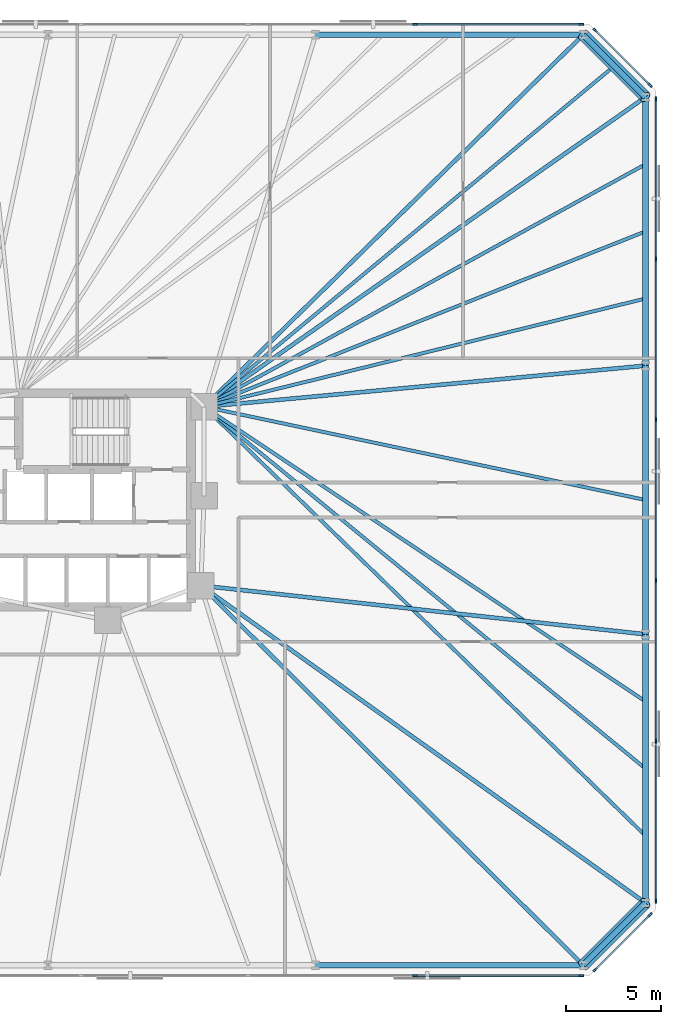
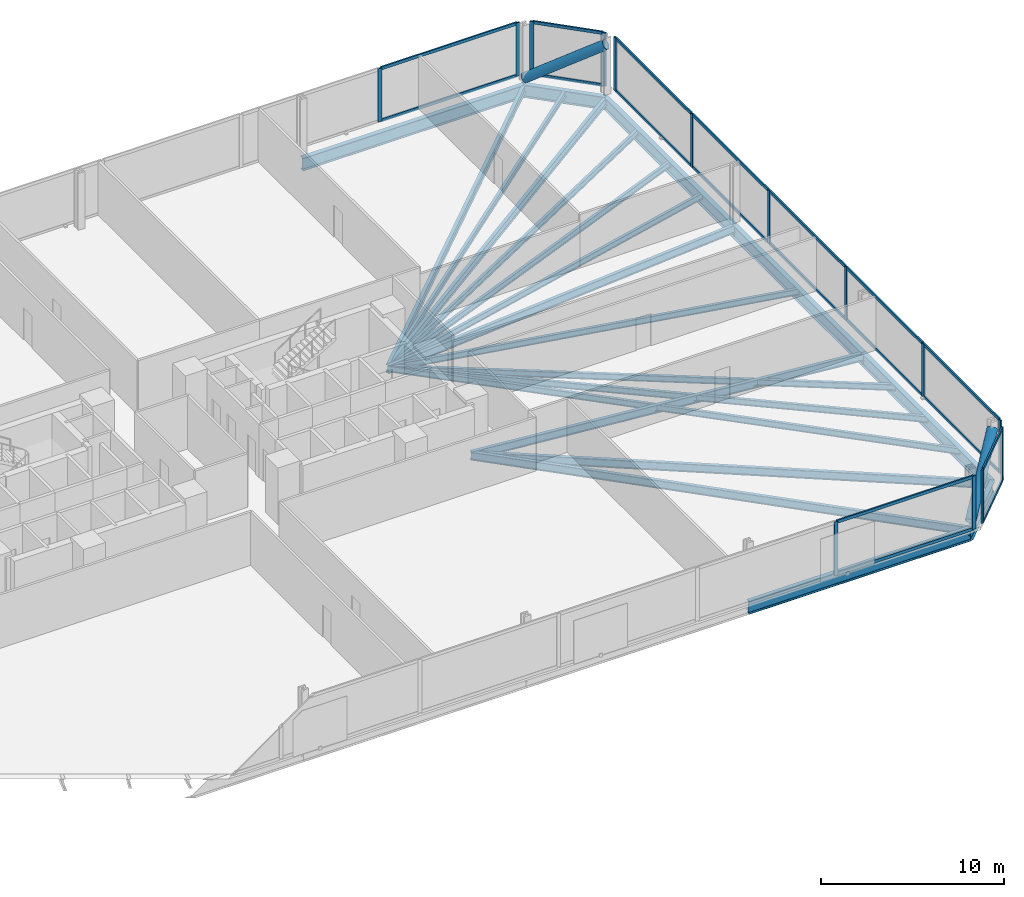
# One storey, part 10 of 16: 34 members, 21 beams, 5 elements without a shape of their own.
"""IFC4 building model written with IfcOpenShell, lengths in metres."""

from ifc_helpers import new_model, si_unit, direction, frame, origin, origin_2d, place, context, subcontext, project, spatial, rectangle, hollow_circle, i_section, extrude, material, material_profile, profile_set, type_object, element, aggregate, save


model = new_model("IFC4")

# Units and contexts
model_context = context("Model", 3, precision=1e-05, world=origin(), true_north=direction((0.0, 1.0)))
body_context = subcontext(model_context, "Body", "Model", "MODEL_VIEW")
ifc_project = project(units=[si_unit("LENGTHUNIT", "METRE"), si_unit("AREAUNIT", "SQUARE_METRE"), si_unit("VOLUMEUNIT", "CUBIC_METRE"), si_unit("PLANEANGLEUNIT", "RADIAN"), si_unit("MASSUNIT", "GRAM", prefix="KILO")], contexts=[model_context])

# Site, building, storey
site_placement = place(None, origin())
site = spatial("IfcSite", under=ifc_project, at=site_placement, CompositionType="ELEMENT")
building_placement = place(site_placement, origin())
building = spatial("IfcBuilding", under=site, at=building_placement, Name="Menara Jurai Vektor", CompositionType="ELEMENT")
storey_placement = place(building_placement, frame((0.0, 0.0, 33.199951171875)))
storey = spatial("IfcBuildingStorey", under=building, at=storey_placement, Name="L07", CompositionType="ELEMENT", Elevation=33.199951171875)

# Curtain wall, members
ifc_material_1 = material(Name="Anodised Pale Aluminium & Low-E Double Glazing", Category="aluminium")
curtain_wall_type = type_object("IfcCurtainWallType", Name="CW-BLK1", PredefinedType="NOTDEFINED", material=ifc_material_1)
curtain_wall_1_placement = place(storey_placement, origin())
curtain_wall_1 = element("IfcCurtainWall", 1, at=curtain_wall_1_placement, inside=storey, type_object=curtain_wall_type, Name="Unitised Curtain Wall L07 F01", PredefinedType="NOTDEFINED")
ifc_material_2 = material(Name="Anodised Pale Aluminium Mullion", Category="aluminium")
ifc_material_profile_1 = material_profile(ifc_material_2, rectangle(XDim=0.094970703125, YDim=0.239990234375, at=origin_2d()), Name="ALU MUL 95x240")
ifc_profile_set_1 = profile_set([ifc_material_profile_1], Name="Anodised Pale Aluminium Mullion")
member_type_1 = type_object("IfcMemberType", Name="CW-BLK1-MUL", PredefinedType="MULLION", material=ifc_profile_set_1)
member_1_placement = place(storey_placement, frame((26.340087890625, -25.0, 0.0), z_axis=(0.0, 0.0, 1.0), x_axis=(0.0, 1.0, 0.0)))
member_1 = element("IfcMember", 2, at=member_1_placement, type_object=member_type_1, Name="CW-01 mullion 8", PredefinedType="MULLION", context=body_context, shape_type="SweptSolid", body=[
    extrude(rectangle(XDim=0.094970703125, YDim=0.239990234375, at=origin_2d()), origin(), (0.0, 0.0, 1.0), 3.574951171875),
])
member_2_placement = place(storey_placement, frame((35.072509765625, -25.0, 0.0), z_axis=(0.0, 0.0, 1.0), x_axis=(0.0, 1.0, 0.0)))
member_2 = element("IfcMember", 3, at=member_2_placement, type_object=member_type_1, Name="CW-01 mullion 9", PredefinedType="MULLION", context=body_context, shape_type="SweptSolid", body=[
    extrude(rectangle(XDim=0.094970703125, YDim=0.239990234375, at=origin_2d()), origin(), (0.0, 0.0, 1.0), 3.574951171875),
])

curtain_wall_2_placement = place(storey_placement, origin())
curtain_wall_2 = element("IfcCurtainWall", 4, at=curtain_wall_2_placement, inside=storey, type_object=curtain_wall_type, Name="Unitised Curtain Wall L07 F02", PredefinedType="NOTDEFINED")
member_3_placement = place(storey_placement, frame((35.80224609375, -24.69775390625, 0.0), z_axis=(0.0, 0.0, 1.0), x_axis=(-0.707106781187, 0.707106781187, 0.0)))
member_3 = element("IfcMember", 5, at=member_3_placement, type_object=member_type_1, Name="CW-01 mullion 1", PredefinedType="MULLION", context=body_context, shape_type="SweptSolid", body=[
    extrude(rectangle(XDim=0.094970703125, YDim=0.239990234375, at=origin_2d()), origin(), (0.0, 0.0, 1.0), 3.574951171875),
])
member_4_placement = place(storey_placement, frame((38.69775390625, -21.80224609375, 0.0), z_axis=(0.0, 0.0, 1.0), x_axis=(-0.707106781187, 0.707106781187, 0.0)))
member_4 = element("IfcMember", 6, at=member_4_placement, type_object=member_type_1, Name="CW-01 mullion 2", PredefinedType="MULLION", context=body_context, shape_type="SweptSolid", body=[
    extrude(rectangle(XDim=0.094970703125, YDim=0.239990234375, at=origin_2d()), origin(), (0.0, 0.0, 1.0), 3.574951171875),
])

curtain_wall_3_placement = place(storey_placement, origin())
curtain_wall_3 = element("IfcCurtainWall", 7, at=curtain_wall_3_placement, inside=storey, type_object=curtain_wall_type, Name="Unitised Curtain Wall L07 F03", PredefinedType="NOTDEFINED")
member_5_placement = place(storey_placement, frame((39.0, -21.072509765625, 0.0), z_axis=(0.0, 0.0, 1.0), x_axis=(-1.0, 0.0, 0.0)))
member_5 = element("IfcMember", 8, at=member_5_placement, type_object=member_type_1, Name="CW-01 mullion 1", PredefinedType="MULLION", context=body_context, shape_type="SweptSolid", body=[
    extrude(rectangle(XDim=0.094970703125, YDim=0.239990234375, at=origin_2d()), origin(), (0.0, 0.0, 1.0), 3.574951171875),
])
member_6_placement = place(storey_placement, frame((39.0, -12.672119140625, 0.0), z_axis=(0.0, 0.0, 1.0), x_axis=(-1.0, 0.0, 0.0)))
member_6 = element("IfcMember", 9, at=member_6_placement, type_object=member_type_1, Name="CW-01 mullion 2", PredefinedType="MULLION", context=body_context, shape_type="SweptSolid", body=[
    extrude(rectangle(XDim=0.094970703125, YDim=0.239990234375, at=origin_2d()), origin(), (0.0, 0.0, 1.0), 3.574951171875),
])
member_7_placement = place(storey_placement, frame((39.0, -4.22412109375, 0.0), z_axis=(0.0, 0.0, 1.0), x_axis=(-1.0, 0.0, 0.0)))
member_7 = element("IfcMember", 10, at=member_7_placement, type_object=member_type_1, Name="CW-01 mullion 3", PredefinedType="MULLION", context=body_context, shape_type="SweptSolid", body=[
    extrude(rectangle(XDim=0.094970703125, YDim=0.239990234375, at=origin_2d()), origin(), (0.0, 0.0, 1.0), 3.574951171875),
])
member_8_placement = place(storey_placement, frame((39.0, 4.22412109375, 0.0), z_axis=(0.0, 0.0, 1.0), x_axis=(-1.0, 0.0, 0.0)))
member_8 = element("IfcMember", 11, at=member_8_placement, type_object=member_type_1, Name="CW-01 mullion 4", PredefinedType="MULLION", context=body_context, shape_type="SweptSolid", body=[
    extrude(rectangle(XDim=0.094970703125, YDim=0.239990234375, at=origin_2d()), origin(), (0.0, 0.0, 1.0), 3.574951171875),
])
member_9_placement = place(storey_placement, frame((39.0, 12.672119140625, 0.0), z_axis=(0.0, 0.0, 1.0), x_axis=(-1.0, 0.0, 0.0)))
member_9 = element("IfcMember", 12, at=member_9_placement, type_object=member_type_1, Name="CW-01 mullion 5", PredefinedType="MULLION", context=body_context, shape_type="SweptSolid", body=[
    extrude(rectangle(XDim=0.094970703125, YDim=0.239990234375, at=origin_2d()), origin(), (0.0, 0.0, 1.0), 3.574951171875),
])
member_10_placement = place(storey_placement, frame((39.0, 21.072509765625, 0.0), z_axis=(0.0, 0.0, 1.0), x_axis=(-1.0, 0.0, 0.0)))
member_10 = element("IfcMember", 13, at=member_10_placement, type_object=member_type_1, Name="CW-01 mullion 6", PredefinedType="MULLION", context=body_context, shape_type="SweptSolid", body=[
    extrude(rectangle(XDim=0.094970703125, YDim=0.239990234375, at=origin_2d()), origin(), (0.0, 0.0, 1.0), 3.574951171875),
])

curtain_wall_4_placement = place(storey_placement, origin())
curtain_wall_4 = element("IfcCurtainWall", 14, at=curtain_wall_4_placement, inside=storey, type_object=curtain_wall_type, Name="Unitised Curtain Wall L07 F04", PredefinedType="NOTDEFINED")
member_11_placement = place(storey_placement, frame((38.69775390625, 21.80224609375, 0.0), z_axis=(0.0, 0.0, 1.0), x_axis=(-0.707106781187, -0.707106781187, 0.0)))
member_11 = element("IfcMember", 15, at=member_11_placement, type_object=member_type_1, Name="CW-01 mullion 1", PredefinedType="MULLION", context=body_context, shape_type="SweptSolid", body=[
    extrude(rectangle(XDim=0.094970703125, YDim=0.239990234375, at=origin_2d()), origin(), (0.0, 0.0, 1.0), 3.574951171875),
])
member_12_placement = place(storey_placement, frame((35.80224609375, 24.69775390625, 0.0), z_axis=(0.0, 0.0, 1.0), x_axis=(-0.707106781187, -0.707106781187, 0.0)))
member_12 = element("IfcMember", 16, at=member_12_placement, type_object=member_type_1, Name="CW-01 mullion 2", PredefinedType="MULLION", context=body_context, shape_type="SweptSolid", body=[
    extrude(rectangle(XDim=0.094970703125, YDim=0.239990234375, at=origin_2d()), origin(), (0.0, 0.0, 1.0), 3.574951171875),
])

curtain_wall_5_placement = place(storey_placement, origin())
curtain_wall_5 = element("IfcCurtainWall", 17, at=curtain_wall_5_placement, inside=storey, type_object=curtain_wall_type, Name="Unitised Curtain Wall L07 F05", PredefinedType="NOTDEFINED")
member_13_placement = place(storey_placement, frame((35.072509765625, 25.0, 0.0), z_axis=(0.0, 0.0, 1.0), x_axis=(0.0, -1.0, 0.0)))
member_13 = element("IfcMember", 18, at=member_13_placement, type_object=member_type_1, Name="CW-01 mullion 1", PredefinedType="MULLION", context=body_context, shape_type="SweptSolid", body=[
    extrude(rectangle(XDim=0.094970703125, YDim=0.239990234375, at=origin_2d()), origin(), (0.0, 0.0, 1.0), 3.574951171875),
])
member_14_placement = place(storey_placement, frame((26.340087890625, 25.0, 0.0), z_axis=(0.0, 0.0, 1.0), x_axis=(0.0, -1.0, 0.0)))
member_14 = element("IfcMember", 19, at=member_14_placement, type_object=member_type_1, Name="CW-01 mullion 2", PredefinedType="MULLION", context=body_context, shape_type="SweptSolid", body=[
    extrude(rectangle(XDim=0.094970703125, YDim=0.239990234375, at=origin_2d()), origin(), (0.0, 0.0, 1.0), 3.574951171875),
])

# Member
ifc_material_3 = material(Name="Anodised Pale Aluminium Transom", Category="aluminium")
ifc_material_profile_2 = material_profile(ifc_material_3, rectangle(XDim=0.094970703125, YDim=0.199951171875, at=origin_2d()), Name="ALU TRN 95x200")
ifc_profile_set_2 = profile_set([ifc_material_profile_2], Name="Anodised Pale Aluminium Transom")
member_type_2 = type_object("IfcMemberType", Name="CW-BLK1-TRN", PredefinedType="USERDEFINED", material=ifc_profile_set_2)
member_15_placement = place(storey_placement, frame((26.387451171875, -25.0, 0.047607421875), z_axis=(1.0, 0.0, 0.0), x_axis=(0.0, 1.0, 0.0)))
member_15 = element("IfcMember", 20, at=member_15_placement, type_object=member_type_2, Name="CW-01 transom 8.1", ObjectType="TRANSOM", PredefinedType="USERDEFINED", context=body_context, shape_type="SweptSolid", body=[
    extrude(rectangle(XDim=0.094970703125, YDim=0.199951171875, at=origin_2d()), origin(), (0.0, 0.0, 1.0), 8.637451171875),
])

member_16_placement = place(storey_placement, frame((26.387451171875, -25.0, 3.527587890625), z_axis=(1.0, 0.0, 0.0), x_axis=(0.0, 1.0, 0.0)))
member_16 = element("IfcMember", 21, at=member_16_placement, type_object=member_type_2, Name="CW-01 transom 8.2", ObjectType="TRANSOM", PredefinedType="USERDEFINED", context=body_context, shape_type="SweptSolid", body=[
    extrude(rectangle(XDim=0.094970703125, YDim=0.199951171875, at=origin_2d()), origin(), (0.0, 0.0, 1.0), 8.637451171875),
])

aggregate(curtain_wall_1, [member_1, member_2, member_15, member_16])

member_17_placement = place(storey_placement, frame((35.8359375, -24.6640625, 0.047607421875), z_axis=(0.707106781187, 0.707106781187, 0.0), x_axis=(-0.707106781187, 0.707106781187, 0.0)))
member_17 = element("IfcMember", 22, at=member_17_placement, type_object=member_type_2, Name="CW-01 transom 1.1", ObjectType="TRANSOM", PredefinedType="USERDEFINED", context=body_context, shape_type="SweptSolid", body=[
    extrude(rectangle(XDim=0.094970703125, YDim=0.199951171875, at=origin_2d()), origin(), (0.0, 0.0, 1.0), 3.99951171875),
])

member_18_placement = place(storey_placement, frame((35.8359375, -24.6640625, 3.527587890625), z_axis=(0.707106781187, 0.707106781187, 0.0), x_axis=(-0.707106781187, 0.707106781187, 0.0)))
member_18 = element("IfcMember", 23, at=member_18_placement, type_object=member_type_2, Name="CW-01 transom 1.2", ObjectType="TRANSOM", PredefinedType="USERDEFINED", context=body_context, shape_type="SweptSolid", body=[
    extrude(rectangle(XDim=0.094970703125, YDim=0.199951171875, at=origin_2d()), origin(), (0.0, 0.0, 1.0), 3.99951171875),
])

aggregate(curtain_wall_2, [member_3, member_4, member_17, member_18])

member_19_placement = place(storey_placement, frame((39.0, -21.02490234375, 0.047607421875), z_axis=(0.0, 1.0, 0.0), x_axis=(-1.0, 0.0, 0.0)))
member_19 = element("IfcMember", 24, at=member_19_placement, type_object=member_type_2, Name="CW-01 transom 1.1", ObjectType="TRANSOM", PredefinedType="USERDEFINED", context=body_context, shape_type="SweptSolid", body=[
    extrude(rectangle(XDim=0.094970703125, YDim=0.199951171875, at=origin_2d()), origin(), (0.0, 0.0, 1.0), 8.305419921875),
])

member_20_placement = place(storey_placement, frame((39.0, -21.02490234375, 3.527587890625), z_axis=(0.0, 1.0, 0.0), x_axis=(-1.0, 0.0, 0.0)))
member_20 = element("IfcMember", 25, at=member_20_placement, type_object=member_type_2, Name="CW-01 transom 1.2", ObjectType="TRANSOM", PredefinedType="USERDEFINED", context=body_context, shape_type="SweptSolid", body=[
    extrude(rectangle(XDim=0.094970703125, YDim=0.199951171875, at=origin_2d()), origin(), (0.0, 0.0, 1.0), 8.305419921875),
])

member_21_placement = place(storey_placement, frame((39.0, -12.62451171875, 0.047607421875), z_axis=(0.0, 1.0, 0.0), x_axis=(-1.0, 0.0, 0.0)))
member_21 = element("IfcMember", 26, at=member_21_placement, type_object=member_type_2, Name="CW-01 transom 2.1", ObjectType="TRANSOM", PredefinedType="USERDEFINED", context=body_context, shape_type="SweptSolid", body=[
    extrude(rectangle(XDim=0.094970703125, YDim=0.199951171875, at=origin_2d()), origin(), (0.0, 0.0, 1.0), 8.35302734375),
])

member_22_placement = place(storey_placement, frame((39.0, -12.62451171875, 3.527587890625), z_axis=(0.0, 1.0, 0.0), x_axis=(-1.0, 0.0, 0.0)))
member_22 = element("IfcMember", 27, at=member_22_placement, type_object=member_type_2, Name="CW-01 transom 2.2", ObjectType="TRANSOM", PredefinedType="USERDEFINED", context=body_context, shape_type="SweptSolid", body=[
    extrude(rectangle(XDim=0.094970703125, YDim=0.199951171875, at=origin_2d()), origin(), (0.0, 0.0, 1.0), 8.35302734375),
])

member_23_placement = place(storey_placement, frame((39.0, -4.176513671875, 0.047607421875), z_axis=(0.0, 1.0, 0.0), x_axis=(-1.0, 0.0, 0.0)))
member_23 = element("IfcMember", 28, at=member_23_placement, type_object=member_type_2, Name="CW-01 transom 3.1", ObjectType="TRANSOM", PredefinedType="USERDEFINED", context=body_context, shape_type="SweptSolid", body=[
    extrude(rectangle(XDim=0.094970703125, YDim=0.199951171875, at=origin_2d()), origin(), (0.0, 0.0, 1.0), 8.35302734375),
])

member_24_placement = place(storey_placement, frame((39.0, -4.176513671875, 3.527587890625), z_axis=(0.0, 1.0, 0.0), x_axis=(-1.0, 0.0, 0.0)))
member_24 = element("IfcMember", 29, at=member_24_placement, type_object=member_type_2, Name="CW-01 transom 3.2", ObjectType="TRANSOM", PredefinedType="USERDEFINED", context=body_context, shape_type="SweptSolid", body=[
    extrude(rectangle(XDim=0.094970703125, YDim=0.199951171875, at=origin_2d()), origin(), (0.0, 0.0, 1.0), 8.35302734375),
])

member_25_placement = place(storey_placement, frame((39.0, 4.271484375, 0.047607421875), z_axis=(0.0, 1.0, 0.0), x_axis=(-1.0, 0.0, 0.0)))
member_25 = element("IfcMember", 30, at=member_25_placement, type_object=member_type_2, Name="CW-01 transom 4.1", ObjectType="TRANSOM", PredefinedType="USERDEFINED", context=body_context, shape_type="SweptSolid", body=[
    extrude(rectangle(XDim=0.094970703125, YDim=0.199951171875, at=origin_2d()), origin(), (0.0, 0.0, 1.0), 8.35302734375),
])

member_26_placement = place(storey_placement, frame((39.0, 4.271484375, 3.527587890625), z_axis=(0.0, 1.0, 0.0), x_axis=(-1.0, 0.0, 0.0)))
member_26 = element("IfcMember", 31, at=member_26_placement, type_object=member_type_2, Name="CW-01 transom 4.2", ObjectType="TRANSOM", PredefinedType="USERDEFINED", context=body_context, shape_type="SweptSolid", body=[
    extrude(rectangle(XDim=0.094970703125, YDim=0.199951171875, at=origin_2d()), origin(), (0.0, 0.0, 1.0), 8.35302734375),
])

member_27_placement = place(storey_placement, frame((39.0, 12.719482421875, 0.047607421875), z_axis=(0.0, 1.0, 0.0), x_axis=(-1.0, 0.0, 0.0)))
member_27 = element("IfcMember", 32, at=member_27_placement, type_object=member_type_2, Name="CW-01 transom 5.1", ObjectType="TRANSOM", PredefinedType="USERDEFINED", context=body_context, shape_type="SweptSolid", body=[
    extrude(rectangle(XDim=0.094970703125, YDim=0.199951171875, at=origin_2d()), origin(), (0.0, 0.0, 1.0), 8.305419921875),
])

member_28_placement = place(storey_placement, frame((39.0, 12.719482421875, 3.527587890625), z_axis=(0.0, 1.0, 0.0), x_axis=(-1.0, 0.0, 0.0)))
member_28 = element("IfcMember", 33, at=member_28_placement, type_object=member_type_2, Name="CW-01 transom 5.2", ObjectType="TRANSOM", PredefinedType="USERDEFINED", context=body_context, shape_type="SweptSolid", body=[
    extrude(rectangle(XDim=0.094970703125, YDim=0.199951171875, at=origin_2d()), origin(), (0.0, 0.0, 1.0), 8.305419921875),
])

aggregate(curtain_wall_3, [member_5, member_6, member_7, member_8, member_9, member_10, member_19, member_20, member_21, member_22, member_23, member_24, member_25, member_26, member_27, member_28])

member_29_placement = place(storey_placement, frame((38.6640625, 21.8359375, 0.047607421875), z_axis=(-0.707106781187, 0.707106781187, 0.0), x_axis=(-0.707106781187, -0.707106781187, 0.0)))
member_29 = element("IfcMember", 34, at=member_29_placement, type_object=member_type_2, Name="CW-01 transom 1.1", ObjectType="TRANSOM", PredefinedType="USERDEFINED", context=body_context, shape_type="SweptSolid", body=[
    extrude(rectangle(XDim=0.094970703125, YDim=0.199951171875, at=origin_2d()), origin(), (0.0, 0.0, 1.0), 3.99951171875),
])

member_30_placement = place(storey_placement, frame((38.6640625, 21.8359375, 3.527587890625), z_axis=(-0.707106781187, 0.707106781187, 0.0), x_axis=(-0.707106781187, -0.707106781187, 0.0)))
member_30 = element("IfcMember", 35, at=member_30_placement, type_object=member_type_2, Name="CW-01 transom 1.2", ObjectType="TRANSOM", PredefinedType="USERDEFINED", context=body_context, shape_type="SweptSolid", body=[
    extrude(rectangle(XDim=0.094970703125, YDim=0.199951171875, at=origin_2d()), origin(), (0.0, 0.0, 1.0), 3.99951171875),
])

aggregate(curtain_wall_4, [member_11, member_12, member_29, member_30])

member_31_placement = place(storey_placement, frame((35.02490234375, 25.0, 0.047607421875), z_axis=(-1.0, 0.0, 0.0), x_axis=(0.0, -1.0, 0.0)))
member_31 = element("IfcMember", 36, at=member_31_placement, type_object=member_type_2, Name="CW-01 transom 1.1", ObjectType="TRANSOM", PredefinedType="USERDEFINED", context=body_context, shape_type="SweptSolid", body=[
    extrude(rectangle(XDim=0.094970703125, YDim=0.199951171875, at=origin_2d()), origin(), (0.0, 0.0, 1.0), 8.637451171875),
])

member_32_placement = place(storey_placement, frame((35.02490234375, 25.0, 3.527587890625), z_axis=(-1.0, 0.0, 0.0), x_axis=(0.0, -1.0, 0.0)))
member_32 = element("IfcMember", 37, at=member_32_placement, type_object=member_type_2, Name="CW-01 transom 1.2", ObjectType="TRANSOM", PredefinedType="USERDEFINED", context=body_context, shape_type="SweptSolid", body=[
    extrude(rectangle(XDim=0.094970703125, YDim=0.199951171875, at=origin_2d()), origin(), (0.0, 0.0, 1.0), 8.637451171875),
])

aggregate(curtain_wall_5, [member_13, member_14, member_31, member_32])

# Beams
ifc_material_4 = material(Name="Steel S355", Category="steel")
ifc_material_profile_3 = material_profile(ifc_material_4, i_section(OverallWidth=0.2109375, OverallDepth=0.5390625, WebThickness=0.011962890625, FlangeThickness=0.01904296875, FilletRadius=0.012939453125, at=origin_2d()), Name="UKB 533x210x109")
ifc_profile_set_3 = profile_set([ifc_material_profile_3], Name="Steel S355")
beam_type_1 = type_object("IfcBeamType", Name="STR-BM-533", PredefinedType="BEAM", material=ifc_profile_set_3)
beam_1_placement = place(storey_placement, frame((35.177734375, -24.449951171875, -0.494384765625), z_axis=(-0.709709931659, 0.704494011972, 0.0), x_axis=(-0.704494011972, -0.709709931659, 0.0)))
element("IfcBeam", 38, at=beam_1_placement, inside=storey, type_object=beam_type_1, Name="Radial Floor Girder L07-S6", PredefinedType="BEAM", context=body_context, shape_type="SweptSolid", body=[
    extrude(i_section(OverallWidth=0.2109375, OverallDepth=0.5390625, WebThickness=0.011962890625, FlangeThickness=0.01904296875, FilletRadius=0.012939453125, at=origin_2d()), origin(), (0.0, 0.0, 1.0), 28.318115234375),
])
beam_2_placement = place(storey_placement, frame((38.449951171875, -21.177734375, -0.494384765625), z_axis=(-0.813981033216, 0.580891450759, 0.0), x_axis=(-0.580891450759, -0.813981033216, 0.0)))
element("IfcBeam", 39, at=beam_2_placement, inside=storey, type_object=beam_type_1, Name="Radial Floor Girder L07-E1", PredefinedType="BEAM", context=body_context, shape_type="SweptSolid", body=[
    extrude(i_section(OverallWidth=0.2109375, OverallDepth=0.5390625, WebThickness=0.011962890625, FlangeThickness=0.01904296875, FilletRadius=0.012939453125, at=origin_2d()), origin(), (0.0, 0.0, 1.0), 28.710693359375),
])
beam_3_placement = place(storey_placement, frame((38.449951171875, -7.059326171875, -0.494384765625), z_axis=(-0.994056757953, 0.108863042253, 0.0), x_axis=(-0.108863042253, -0.994056757953, 0.0)))
element("IfcBeam", 40, at=beam_3_placement, inside=storey, type_object=beam_type_1, Name="Radial Floor Girder L07-E2", PredefinedType="BEAM", context=body_context, shape_type="SweptSolid", body=[
    extrude(i_section(OverallWidth=0.2109375, OverallDepth=0.5390625, WebThickness=0.011962890625, FlangeThickness=0.01904296875, FilletRadius=0.012939453125, at=origin_2d()), origin(), (0.0, 0.0, 1.0), 23.509521484375),
])
beam_4_placement = place(storey_placement, frame((38.449951171875, 7.059326171875, -0.494384765625), z_axis=(-0.995696113112, -0.092678208514, 0.0), x_axis=(0.092678208514, -0.995696113112, 0.0)))
element("IfcBeam", 41, at=beam_4_placement, inside=storey, type_object=beam_type_1, Name="Radial Floor Girder L07-E3", PredefinedType="BEAM", context=body_context, shape_type="SweptSolid", body=[
    extrude(i_section(OverallWidth=0.2109375, OverallDepth=0.5390625, WebThickness=0.011962890625, FlangeThickness=0.01904296875, FilletRadius=0.012939453125, at=origin_2d()), origin(), (0.0, 0.0, 1.0), 23.30029296875),
])
beam_5_placement = place(storey_placement, frame((38.449951171875, 21.177734375, -0.494384765625), z_axis=(-0.818603732445, -0.574358711283, 0.0), x_axis=(0.574358711283, -0.818603732445, 0.0)))
element("IfcBeam", 42, at=beam_5_placement, inside=storey, type_object=beam_type_1, Name="Radial Floor Girder L07-E4", PredefinedType="BEAM", context=body_context, shape_type="SweptSolid", body=[
    extrude(i_section(OverallWidth=0.2109375, OverallDepth=0.5390625, WebThickness=0.011962890625, FlangeThickness=0.01904296875, FilletRadius=0.012939453125, at=origin_2d()), origin(), (0.0, 0.0, 1.0), 28.3408203125),
])
beam_6_placement = place(storey_placement, frame((35.177734375, 24.449951171875, -0.494384765625), z_axis=(-0.713839032855, -0.700309813706, 0.0), x_axis=(0.700309813706, -0.713839032855, 0.0)))
element("IfcBeam", 43, at=beam_6_placement, inside=storey, type_object=beam_type_1, Name="Radial Floor Girder L07-N1", PredefinedType="BEAM", context=body_context, shape_type="SweptSolid", body=[
    extrude(i_section(OverallWidth=0.2109375, OverallDepth=0.5390625, WebThickness=0.011962890625, FlangeThickness=0.01904296875, FilletRadius=0.012939453125, at=origin_2d()), origin(), (0.0, 0.0, 1.0), 27.916259765625),
])

# Members
ifc_material_5 = material(Name="Steel S460", Category="steel")
ifc_material_profile_4 = material_profile(ifc_material_5, hollow_circle(Radius=0.304931640625, WallThickness=0.02490234375, at=origin_2d()), Name="CHS 610x25")
ifc_profile_set_4 = profile_set([ifc_material_profile_4], Name="Steel S460")
member_type_3 = type_object("IfcMemberType", Name="STR-BR-610", PredefinedType="BRACE", material=ifc_profile_set_4)
for number, where, z_axis, x_axis, name in (
    (44, (35.177734375, -24.449951171875, 0.150146484375), (0.588942422958, 0.588942422958, 0.553438022619), (-0.707106781187, 0.707106781187, 0.0), "Exoskeleton Corner Brace L07-1"),
    (45, (35.177734375, 24.449951171875, 0.150146484375), (0.588942422958, -0.588942422958, 0.553438022619), (0.707106781187, 0.707106781187, 0.0), "Exoskeleton Corner Brace L07-2"),
):
    element("IfcMember", number, at=place(storey_placement, frame(where, z_axis=z_axis, x_axis=x_axis)), inside=storey, type_object=member_type_3, Name=name, PredefinedType="BRACE", context=body_context, shape_type="SweptSolid", body=[
        extrude(hollow_circle(Radius=0.304931640625, WallThickness=0.02490234375, at=origin_2d()), origin(), (0.0, 0.0, 1.0), 5.55615234375),
    ])

# Beams
ifc_material_profile_5 = material_profile(ifc_material_4, i_section(OverallWidth=0.178955078125, OverallDepth=0.408935546875, WebThickness=0.009033203125, FlangeThickness=0.013916015625, FilletRadius=0.010009765625, at=origin_2d()), Name="UKB 406x178x67")
ifc_profile_set_5 = profile_set([ifc_material_profile_5], Name="Steel S355")
beam_type_2 = type_object("IfcBeamType", Name="STR-JS-406", PredefinedType="JOIST", material=ifc_profile_set_5)
beam_7_placement = place(storey_placement, frame((38.449951171875, -17.648193359375, -0.429443359375), z_axis=(-0.71710942187, 0.696960599363, 0.0), x_axis=(-0.696960599363, -0.71710942187, 0.0)))
element("IfcBeam", 46, at=beam_7_placement, inside=storey, type_object=beam_type_2, Name="Radial Secondary Floor Joist L07-JS08", PredefinedType="JOIST", context=body_context, shape_type="SweptSolid", body=[
    extrude(i_section(OverallWidth=0.178955078125, OverallDepth=0.408935546875, WebThickness=0.009033203125, FlangeThickness=0.013916015625, FilletRadius=0.010009765625, at=origin_2d()), origin(), (0.0, 0.0, 1.0), 32.35205078125),
])
beam_8_placement = place(storey_placement, frame((38.449951171875, -14.118408203125, -0.429443359375), z_axis=(-0.773360118456, 0.633966976413, 0.0), x_axis=(-0.633966976413, -0.773360118456, 0.0)))
element("IfcBeam", 47, at=beam_8_placement, inside=storey, type_object=beam_type_2, Name="Radial Secondary Floor Joist L07-JS09", PredefinedType="JOIST", context=body_context, shape_type="SweptSolid", body=[
    extrude(i_section(OverallWidth=0.178955078125, OverallDepth=0.408935546875, WebThickness=0.009033203125, FlangeThickness=0.013916015625, FilletRadius=0.010009765625, at=origin_2d()), origin(), (0.0, 0.0, 1.0), 29.998779296875),
])
beam_9_placement = place(storey_placement, frame((38.449951171875, -10.5888671875, -0.429443359375), z_axis=(-0.831683872109, 0.555249436627, 0.0), x_axis=(-0.555249436627, -0.831683872109, 0.0)))
element("IfcBeam", 48, at=beam_9_placement, inside=storey, type_object=beam_type_2, Name="Radial Secondary Floor Joist L07-JS10", PredefinedType="JOIST", context=body_context, shape_type="SweptSolid", body=[
    extrude(i_section(OverallWidth=0.178955078125, OverallDepth=0.408935546875, WebThickness=0.009033203125, FlangeThickness=0.013916015625, FilletRadius=0.010009765625, at=origin_2d()), origin(), (0.0, 0.0, 1.0), 27.895263671875),
])
beam_10_placement = place(storey_placement, frame((38.449951171875, 0.0, -0.429443359375), z_axis=(-0.978416084102, 0.206644541109, 0.0), x_axis=(-0.206644541109, -0.978416084102, 0.0)))
element("IfcBeam", 49, at=beam_10_placement, inside=storey, type_object=beam_type_2, Name="Radial Secondary Floor Joist L07-JS11", PredefinedType="JOIST", context=body_context, shape_type="SweptSolid", body=[
    extrude(i_section(OverallWidth=0.178955078125, OverallDepth=0.408935546875, WebThickness=0.009033203125, FlangeThickness=0.013916015625, FilletRadius=0.010009765625, at=origin_2d()), origin(), (0.0, 0.0, 1.0), 23.711669921875),
])
beam_11_placement = place(storey_placement, frame((38.449951171875, 10.5888671875, -0.429443359375), z_axis=(-0.971226234641, -0.238158772976, 0.0), x_axis=(0.238158772976, -0.971226234641, 0.0)))
element("IfcBeam", 50, at=beam_11_placement, inside=storey, type_object=beam_type_2, Name="Radial Secondary Floor Joist L07-JS12", PredefinedType="JOIST", context=body_context, shape_type="SweptSolid", body=[
    extrude(i_section(OverallWidth=0.178955078125, OverallDepth=0.408935546875, WebThickness=0.009033203125, FlangeThickness=0.013916015625, FilletRadius=0.010009765625, at=origin_2d()), origin(), (0.0, 0.0, 1.0), 23.88720703125),
])
beam_12_placement = place(storey_placement, frame((38.449951171875, 14.118408203125, -0.429443359375), z_axis=(-0.929323400723, -0.369266864027, 0.0), x_axis=(0.369266864027, -0.929323400723, 0.0)))
element("IfcBeam", 51, at=beam_12_placement, inside=storey, type_object=beam_type_2, Name="Radial Secondary Floor Joist L07-JS13", PredefinedType="JOIST", context=body_context, shape_type="SweptSolid", body=[
    extrude(i_section(OverallWidth=0.178955078125, OverallDepth=0.408935546875, WebThickness=0.009033203125, FlangeThickness=0.013916015625, FilletRadius=0.010009765625, at=origin_2d()), origin(), (0.0, 0.0, 1.0), 24.96435546875),
])
beam_13_placement = place(storey_placement, frame((38.449951171875, 17.648193359375, -0.429443359375), z_axis=(-0.87640219057, -0.481579900291, 0.0), x_axis=(0.481579900291, -0.87640219057, 0.0)))
element("IfcBeam", 52, at=beam_13_placement, inside=storey, type_object=beam_type_2, Name="Radial Secondary Floor Joist L07-JS14", PredefinedType="JOIST", context=body_context, shape_type="SweptSolid", body=[
    extrude(i_section(OverallWidth=0.178955078125, OverallDepth=0.408935546875, WebThickness=0.009033203125, FlangeThickness=0.013916015625, FilletRadius=0.010009765625, at=origin_2d()), origin(), (0.0, 0.0, 1.0), 26.471923828125),
])
beam_14_placement = place(storey_placement, frame((36.81396484375, 22.81396484375, -0.429443359375), z_axis=(-0.769201173096, -0.639006694259, 0.0), x_axis=(0.639006694259, -0.769201173096, 0.0)))
element("IfcBeam", 53, at=beam_14_placement, inside=storey, type_object=beam_type_2, Name="Radial Secondary Floor Joist L07-JS15", PredefinedType="JOIST", context=body_context, shape_type="SweptSolid", body=[
    extrude(i_section(OverallWidth=0.178955078125, OverallDepth=0.408935546875, WebThickness=0.009033203125, FlangeThickness=0.013916015625, FilletRadius=0.010009765625, at=origin_2d()), origin(), (0.0, 0.0, 1.0), 28.0341796875),
])
ifc_material_profile_6 = material_profile(ifc_material_5, i_section(OverallWidth=0.2939453125, OverallDepth=0.85107421875, WebThickness=0.01611328125, FlangeThickness=0.027099609375, FilletRadius=0.01806640625, at=origin_2d()), Name="UKB 838x292x226")
ifc_profile_set_6 = profile_set([ifc_material_profile_6], Name="Steel S460")
beam_type_3 = type_object("IfcBeamType", Name="STR-SP-838", PredefinedType="SPANDREL", material=ifc_profile_set_6)
beam_15_placement = place(storey_placement, frame((21.106689453125, -24.449951171875, -0.650390625), z_axis=(1.0, 0.0, 0.0), x_axis=(0.0, 1.0, 0.0)))
element("IfcBeam", 54, at=beam_15_placement, inside=storey, type_object=beam_type_3, Name="Exoskeleton Spandrel Beam L07-05", PredefinedType="SPANDREL", context=body_context, shape_type="SweptSolid", body=[
    extrude(i_section(OverallWidth=0.2939453125, OverallDepth=0.85107421875, WebThickness=0.01611328125, FlangeThickness=0.027099609375, FilletRadius=0.01806640625, at=origin_2d()), origin(), (0.0, 0.0, 1.0), 14.071044921875),
])
beam_16_placement = place(storey_placement, frame((35.177734375, -24.449951171875, -0.650390625), z_axis=(0.707106781187, 0.707106781187, 0.0), x_axis=(-0.707106781187, 0.707106781187, 0.0)))
element("IfcBeam", 55, at=beam_16_placement, inside=storey, type_object=beam_type_3, Name="Exoskeleton Spandrel Beam L07-06", PredefinedType="SPANDREL", context=body_context, shape_type="SweptSolid", body=[
    extrude(i_section(OverallWidth=0.2939453125, OverallDepth=0.85107421875, WebThickness=0.01611328125, FlangeThickness=0.027099609375, FilletRadius=0.01806640625, at=origin_2d()), origin(), (0.0, 0.0, 1.0), 4.627685546875),
])
beam_17_placement = place(storey_placement, frame((38.449951171875, -21.177734375, -0.650390625), z_axis=(0.0, 1.0, 0.0), x_axis=(-1.0, 0.0, 0.0)))
element("IfcBeam", 56, at=beam_17_placement, inside=storey, type_object=beam_type_3, Name="Exoskeleton Spandrel Beam L07-07", PredefinedType="SPANDREL", context=body_context, shape_type="SweptSolid", body=[
    extrude(i_section(OverallWidth=0.2939453125, OverallDepth=0.85107421875, WebThickness=0.01611328125, FlangeThickness=0.027099609375, FilletRadius=0.01806640625, at=origin_2d()), origin(), (0.0, 0.0, 1.0), 14.118408203125),
])
beam_18_placement = place(storey_placement, frame((38.449951171875, -7.059326171875, -0.650390625), z_axis=(0.0, 1.0, 0.0), x_axis=(-1.0, 0.0, 0.0)))
element("IfcBeam", 57, at=beam_18_placement, inside=storey, type_object=beam_type_3, Name="Exoskeleton Spandrel Beam L07-08", PredefinedType="SPANDREL", context=body_context, shape_type="SweptSolid", body=[
    extrude(i_section(OverallWidth=0.2939453125, OverallDepth=0.85107421875, WebThickness=0.01611328125, FlangeThickness=0.027099609375, FilletRadius=0.01806640625, at=origin_2d()), origin(), (0.0, 0.0, 1.0), 14.11865234375),
])
beam_19_placement = place(storey_placement, frame((38.449951171875, 7.059326171875, -0.650390625), z_axis=(0.0, 1.0, 0.0), x_axis=(-1.0, 0.0, 0.0)))
element("IfcBeam", 58, at=beam_19_placement, inside=storey, type_object=beam_type_3, Name="Exoskeleton Spandrel Beam L07-09", PredefinedType="SPANDREL", context=body_context, shape_type="SweptSolid", body=[
    extrude(i_section(OverallWidth=0.2939453125, OverallDepth=0.85107421875, WebThickness=0.01611328125, FlangeThickness=0.027099609375, FilletRadius=0.01806640625, at=origin_2d()), origin(), (0.0, 0.0, 1.0), 14.118408203125),
])
beam_20_placement = place(storey_placement, frame((38.449951171875, 21.177734375, -0.650390625), z_axis=(-0.707106781187, 0.707106781187, 0.0), x_axis=(-0.707106781187, -0.707106781187, 0.0)))
element("IfcBeam", 59, at=beam_20_placement, inside=storey, type_object=beam_type_3, Name="Exoskeleton Spandrel Beam L07-10", PredefinedType="SPANDREL", context=body_context, shape_type="SweptSolid", body=[
    extrude(i_section(OverallWidth=0.2939453125, OverallDepth=0.85107421875, WebThickness=0.01611328125, FlangeThickness=0.027099609375, FilletRadius=0.01806640625, at=origin_2d()), origin(), (0.0, 0.0, 1.0), 4.627685546875),
])
beam_21_placement = place(storey_placement, frame((35.177734375, 24.449951171875, -0.650390625), z_axis=(-1.0, 0.0, 0.0), x_axis=(0.0, -1.0, 0.0)))
element("IfcBeam", 60, at=beam_21_placement, inside=storey, type_object=beam_type_3, Name="Exoskeleton Spandrel Beam L07-11", PredefinedType="SPANDREL", context=body_context, shape_type="SweptSolid", body=[
    extrude(i_section(OverallWidth=0.2939453125, OverallDepth=0.85107421875, WebThickness=0.01611328125, FlangeThickness=0.027099609375, FilletRadius=0.01806640625, at=origin_2d()), origin(), (0.0, 0.0, 1.0), 14.071044921875),
])

save(model, "model.ifc")
